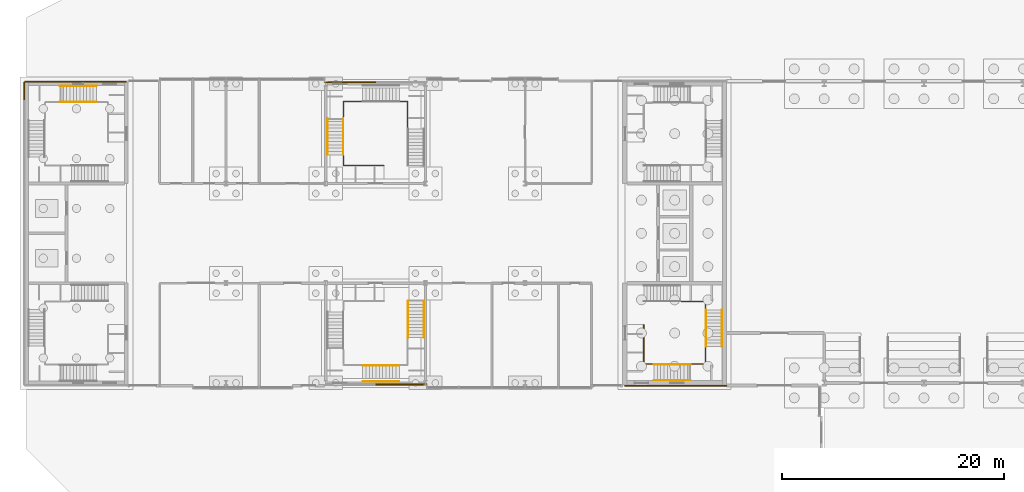
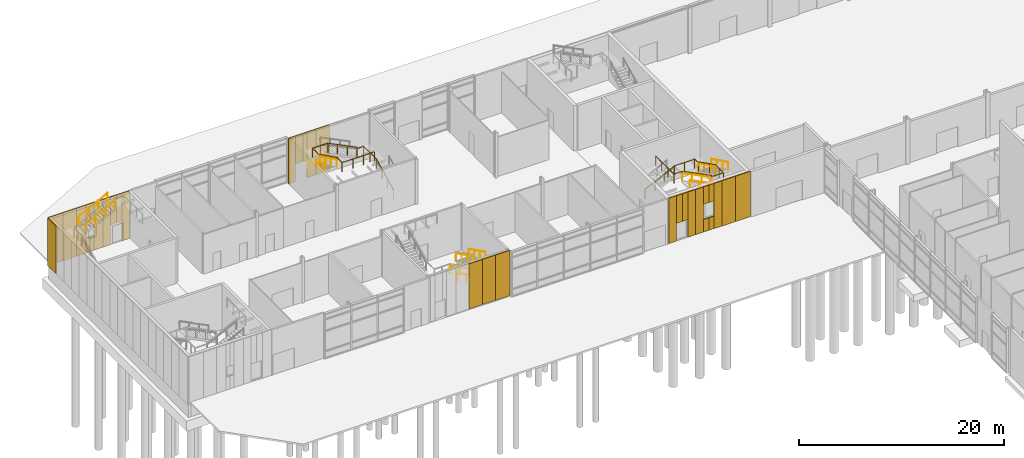
# One storey, part 40 of 45: 33 coverings, 14 railings.
"""IFC4 building model written with IfcOpenShell, lengths in metres."""

from ifc_helpers import new_model, si_unit, direction, frame, origin, origin_2d, place, context, subcontext, project, spatial, rectangle, circle, extrude, material, layer, layer_set, type_object, element, save


model = new_model("IFC4")

# Units and contexts
model_context = context("Model", 3, precision=1e-05, world=origin(), true_north=direction((0.0, 1.0)))
body_context = subcontext(model_context, "Body", "Model", "MODEL_VIEW")
ifc_project = project(units=[si_unit("LENGTHUNIT", "METRE"), si_unit("AREAUNIT", "SQUARE_METRE"), si_unit("VOLUMEUNIT", "CUBIC_METRE"), si_unit("PLANEANGLEUNIT", "RADIAN"), si_unit("MASSUNIT", "GRAM", prefix="KILO")], contexts=[model_context])

# Site, building, storey
site_placement = place(None, origin())
site = spatial("IfcSite", under=ifc_project, at=site_placement, CompositionType="ELEMENT")
building_placement = place(site_placement, origin())
building = spatial("IfcBuilding", under=site, at=building_placement, Name="Azimuth Sports and Learning Centre", CompositionType="ELEMENT")
storey_placement = place(building_placement, origin())
storey = spatial("IfcBuildingStorey", under=building, at=storey_placement, Name="L00", CompositionType="ELEMENT", Elevation=0.0)

# Coverings
ifc_material_1 = material(Name="Cladding panel")
ifc_layer = layer(ifc_material_1, 0.10009765625)
ifc_layer_set = layer_set([ifc_layer], Name="Cladding panel")
covering_type = type_object("IfcCoveringType", Name="Cladding panel 100", PredefinedType="CLADDING", material=ifc_layer_set)
for number, where, z_axis, x_axis, name in (
    (1, (32.25, 89.85009765625, 0.0), (0.0, 0.0, 1.0), (1.0, 0.0, 0.0), "Cladding panel S-WM1 L00 6"),
    (2, (33.75, 89.85009765625, 0.0), (0.0, 0.0, 1.0), (1.0, 0.0, 0.0), "Cladding panel S-WM1 L00 7"),
):
    element("IfcCovering", number, at=place(storey_placement, frame(where, z_axis=z_axis, x_axis=x_axis)), inside=storey, type_object=covering_type, Name=name, PredefinedType="CLADDING", context=body_context, shape_type="SweptSolid", body=[
        extrude(rectangle(XDim=1.5, YDim=0.10009765625, at=origin_2d()), origin(), (0.0, 0.0, 1.0), 5.39990234375),
    ])
covering_1_placement = place(storey_placement, frame((35.300048828125, 89.85009765625, 0.0), z_axis=(0.0, 0.0, 1.0), x_axis=(1.0, 0.0, 0.0)))
element("IfcCovering", 3, at=covering_1_placement, inside=storey, type_object=covering_type, Name="Cladding panel S-WM1 L00 8", PredefinedType="CLADDING", context=body_context, shape_type="SweptSolid", body=[
    extrude(rectangle(XDim=1.60009765625, YDim=0.10009765625, at=origin_2d()), origin(), (0.0, 0.0, 1.0), 5.39990234375),
])
covering_2_placement = place(storey_placement, frame((55.175048828125, 89.75, 2.10009765625), z_axis=(0.0, 0.0, 1.0), x_axis=(1.0, 0.0, 0.0)))
element("IfcCovering", 4, at=covering_2_placement, inside=storey, type_object=covering_type, Name="Cladding panel S-CORE W L00 1", PredefinedType="CLADDING", context=body_context, shape_type="SweptSolid", body=[
    extrude(rectangle(XDim=0.64990234375, YDim=0.10009765625, at=origin_2d()), origin(), (0.0, 0.0, 1.0), 3.300048828125),
])
covering_3_placement = place(storey_placement, frame((54.425048828125, 89.75, 0.0), z_axis=(0.0, 0.0, 1.0), x_axis=(1.0, 0.0, 0.0)))
element("IfcCovering", 5, at=covering_3_placement, inside=storey, type_object=covering_type, Name="Cladding panel S-CORE W L00 2", PredefinedType="CLADDING", context=body_context, shape_type="SweptSolid", body=[
    extrude(rectangle(XDim=0.85009765625, YDim=0.10009765625, at=origin_2d()), origin(), (0.0, 0.0, 1.0), 5.39990234375),
])
covering_4_placement = place(storey_placement, frame((55.824951171875, 89.75, 2.10009765625), z_axis=(0.0, 0.0, 1.0), x_axis=(1.0, 0.0, 0.0)))
element("IfcCovering", 6, at=covering_4_placement, inside=storey, type_object=covering_type, Name="Cladding panel S-CORE W L00 3", PredefinedType="CLADDING", context=body_context, shape_type="SweptSolid", body=[
    extrude(rectangle(XDim=0.64990234375, YDim=0.10009765625, at=origin_2d()), origin(), (0.0, 0.0, 1.0), 3.300048828125),
])
covering_5_placement = place(storey_placement, frame((56.574951171875, 89.75, 0.0), z_axis=(0.0, 0.0, 1.0), x_axis=(1.0, 0.0, 0.0)))
element("IfcCovering", 7, at=covering_5_placement, inside=storey, type_object=covering_type, Name="Cladding panel S-CORE W L00 4", PredefinedType="CLADDING", context=body_context, shape_type="SweptSolid", body=[
    extrude(rectangle(XDim=0.85009765625, YDim=0.10009765625, at=origin_2d()), origin(), (0.0, 0.0, 1.0), 5.39990234375),
])
covering_6_placement = place(storey_placement, frame((57.449951171875, 89.75, 0.0), z_axis=(0.0, 0.0, 1.0), x_axis=(1.0, 0.0, 0.0)))
element("IfcCovering", 8, at=covering_6_placement, inside=storey, type_object=covering_type, Name="Cladding panel S-CORE W L00 5", PredefinedType="CLADDING", context=body_context, shape_type="SweptSolid", body=[
    extrude(rectangle(XDim=0.89990234375, YDim=0.10009765625, at=origin_2d()), origin(), (0.0, 0.0, 1.0), 5.39990234375),
])
covering_7_placement = place(storey_placement, frame((58.199951171875, 89.75, 0.0), z_axis=(0.0, 0.0, 1.0), x_axis=(1.0, 0.0, 0.0)))
element("IfcCovering", 9, at=covering_7_placement, inside=storey, type_object=covering_type, Name="Cladding panel S-CORE W L00 6", PredefinedType="CLADDING", context=body_context, shape_type="SweptSolid", body=[
    extrude(rectangle(XDim=0.60009765625, YDim=0.10009765625, at=origin_2d()), origin(), (0.0, 0.0, 1.0), 1.5),
])
covering_8_placement = place(storey_placement, frame((58.199951171875, 89.75, 3.300048828125), z_axis=(0.0, 0.0, 1.0), x_axis=(1.0, 0.0, 0.0)))
element("IfcCovering", 10, at=covering_8_placement, inside=storey, type_object=covering_type, Name="Cladding panel S-CORE W L00 7", PredefinedType="CLADDING", context=body_context, shape_type="SweptSolid", body=[
    extrude(rectangle(XDim=0.60009765625, YDim=0.10009765625, at=origin_2d()), origin(), (0.0, 0.0, 1.0), 2.10009765625),
])
covering_9_placement = place(storey_placement, frame((59.550048828125, 89.75, 0.0), z_axis=(0.0, 0.0, 1.0), x_axis=(1.0, 0.0, 0.0)))
element("IfcCovering", 11, at=covering_9_placement, inside=storey, type_object=covering_type, Name="Cladding panel S-CORE W L00 8", PredefinedType="CLADDING", context=body_context, shape_type="SweptSolid", body=[
    extrude(rectangle(XDim=0.89990234375, YDim=0.10009765625, at=origin_2d()), origin(), (0.0, 0.0, 1.0), 5.39990234375),
])
covering_10_placement = place(storey_placement, frame((58.800048828125, 89.75, 0.0), z_axis=(0.0, 0.0, 1.0), x_axis=(1.0, 0.0, 0.0)))
element("IfcCovering", 12, at=covering_10_placement, inside=storey, type_object=covering_type, Name="Cladding panel S-CORE W L00 9", PredefinedType="CLADDING", context=body_context, shape_type="SweptSolid", body=[
    extrude(rectangle(XDim=0.60009765625, YDim=0.10009765625, at=origin_2d()), origin(), (0.0, 0.0, 1.0), 1.5),
])
covering_11_placement = place(storey_placement, frame((58.800048828125, 89.75, 3.300048828125), z_axis=(0.0, 0.0, 1.0), x_axis=(1.0, 0.0, 0.0)))
element("IfcCovering", 13, at=covering_11_placement, inside=storey, type_object=covering_type, Name="Cladding panel S-CORE W L00 10", PredefinedType="CLADDING", context=body_context, shape_type="SweptSolid", body=[
    extrude(rectangle(XDim=0.60009765625, YDim=0.10009765625, at=origin_2d()), origin(), (0.0, 0.0, 1.0), 2.10009765625),
])
covering_12_placement = place(storey_placement, frame((60.75, 89.75, 0.0), z_axis=(0.0, 0.0, 1.0), x_axis=(1.0, 0.0, 0.0)))
element("IfcCovering", 14, at=covering_12_placement, inside=storey, type_object=covering_type, Name="Cladding panel S-CORE W L00 11", PredefinedType="CLADDING", context=body_context, shape_type="SweptSolid", body=[
    extrude(rectangle(XDim=1.5, YDim=0.10009765625, at=origin_2d()), origin(), (0.0, 0.0, 1.0), 5.39990234375),
])
covering_13_placement = place(storey_placement, frame((62.35009765625, 89.75, 0.0), z_axis=(0.0, 0.0, 1.0), x_axis=(1.0, 0.0, 0.0)))
element("IfcCovering", 15, at=covering_13_placement, inside=storey, type_object=covering_type, Name="Cladding panel S-CORE W L00 12", PredefinedType="CLADDING", context=body_context, shape_type="SweptSolid", body=[
    extrude(rectangle(XDim=1.699951171875, YDim=0.10009765625, at=origin_2d()), origin(), (0.0, 0.0, 1.0), 5.39990234375),
])
covering_14_placement = place(storey_placement, frame((30.75, 117.14990234375, 0.0), z_axis=(0.0, 0.0, 1.0), x_axis=(-1.0, 0.0, 0.0)))
element("IfcCovering", 16, at=covering_14_placement, inside=storey, type_object=covering_type, Name="Cladding panel N-WM2 L00 4", PredefinedType="CLADDING", context=body_context, shape_type="SweptSolid", body=[
    extrude(rectangle(XDim=1.5, YDim=0.10009765625, at=origin_2d()), origin(), (0.0, 0.0, 1.0), 5.39990234375),
])
covering_15_placement = place(storey_placement, frame((28.72509765625, 117.14990234375, 2.10009765625), z_axis=(0.0, 0.0, 1.0), x_axis=(-1.0, 0.0, 0.0)))
element("IfcCovering", 17, at=covering_15_placement, inside=storey, type_object=covering_type, Name="Cladding panel N-WM2 L00 5", PredefinedType="CLADDING", context=body_context, shape_type="SweptSolid", body=[
    extrude(rectangle(XDim=0.449951171875, YDim=0.10009765625, at=origin_2d()), origin(), (0.0, 0.0, 1.0), 3.300048828125),
])
covering_16_placement = place(storey_placement, frame((29.47509765625, 117.14990234375, 0.0), z_axis=(0.0, 0.0, 1.0), x_axis=(-1.0, 0.0, 0.0)))
element("IfcCovering", 18, at=covering_16_placement, inside=storey, type_object=covering_type, Name="Cladding panel N-WM2 L00 6", PredefinedType="CLADDING", context=body_context, shape_type="SweptSolid", body=[
    extrude(rectangle(XDim=1.050048828125, YDim=0.10009765625, at=origin_2d()), origin(), (0.0, 0.0, 1.0), 5.39990234375),
])
covering_17_placement = place(storey_placement, frame((28.074951171875, 117.14990234375, 2.10009765625), z_axis=(0.0, 0.0, 1.0), x_axis=(-1.0, 0.0, 0.0)))
element("IfcCovering", 19, at=covering_17_placement, inside=storey, type_object=covering_type, Name="Cladding panel N-WM2 L00 7", PredefinedType="CLADDING", context=body_context, shape_type="SweptSolid", body=[
    extrude(rectangle(XDim=0.85009765625, YDim=0.10009765625, at=origin_2d()), origin(), (0.0, 0.0, 1.0), 3.300048828125),
])
covering_18_placement = place(storey_placement, frame((27.27490234375, 117.14990234375, 0.0), z_axis=(0.0, 0.0, 1.0), x_axis=(-1.0, 0.0, 0.0)))
element("IfcCovering", 20, at=covering_18_placement, inside=storey, type_object=covering_type, Name="Cladding panel N-WM2 L00 8", PredefinedType="CLADDING", context=body_context, shape_type="SweptSolid", body=[
    extrude(rectangle(XDim=0.75, YDim=0.10009765625, at=origin_2d()), origin(), (0.0, 0.0, 1.0), 5.39990234375),
])
covering_19_placement = place(storey_placement, frame((7.824951171875, 117.199951171875, 2.10009765625), z_axis=(0.0, 0.0, 1.0), x_axis=(-1.0, 0.0, 0.0)))
element("IfcCovering", 21, at=covering_19_placement, inside=storey, type_object=covering_type, Name="Cladding panel N-END W L00 1", PredefinedType="CLADDING", context=body_context, shape_type="SweptSolid", body=[
    extrude(rectangle(XDim=0.64990234375, YDim=0.10009765625, at=origin_2d()), origin(), (0.0, 0.0, 1.0), 3.300048828125),
])
covering_20_placement = place(storey_placement, frame((8.574951171875, 117.199951171875, -0.2998046875), z_axis=(0.0, 0.0, 1.0), x_axis=(-1.0, 0.0, 0.0)))
element("IfcCovering", 22, at=covering_20_placement, inside=storey, type_object=covering_type, Name="Cladding panel N-END W L00 2", PredefinedType="CLADDING", context=body_context, shape_type="SweptSolid", body=[
    extrude(rectangle(XDim=0.85009765625, YDim=0.10009765625, at=origin_2d()), origin(), (0.0, 0.0, 1.0), 5.699951171875),
])
covering_21_placement = place(storey_placement, frame((7.175048828125, 117.199951171875, 2.10009765625), z_axis=(0.0, 0.0, 1.0), x_axis=(-1.0, 0.0, 0.0)))
element("IfcCovering", 23, at=covering_21_placement, inside=storey, type_object=covering_type, Name="Cladding panel N-END W L00 3", PredefinedType="CLADDING", context=body_context, shape_type="SweptSolid", body=[
    extrude(rectangle(XDim=0.64990234375, YDim=0.10009765625, at=origin_2d()), origin(), (0.0, 0.0, 1.0), 3.300048828125),
])
covering_22_placement = place(storey_placement, frame((6.425048828125, 117.199951171875, -0.2998046875), z_axis=(0.0, 0.0, 1.0), x_axis=(-1.0, 0.0, 0.0)))
element("IfcCovering", 24, at=covering_22_placement, inside=storey, type_object=covering_type, Name="Cladding panel N-END W L00 4", PredefinedType="CLADDING", context=body_context, shape_type="SweptSolid", body=[
    extrude(rectangle(XDim=0.85009765625, YDim=0.10009765625, at=origin_2d()), origin(), (0.0, 0.0, 1.0), 5.699951171875),
])
covering_23_placement = place(storey_placement, frame((5.47509765625, 117.199951171875, -0.2998046875), z_axis=(0.0, 0.0, 1.0), x_axis=(-1.0, 0.0, 0.0)))
element("IfcCovering", 25, at=covering_23_placement, inside=storey, type_object=covering_type, Name="Cladding panel N-END W L00 5", PredefinedType="CLADDING", context=body_context, shape_type="SweptSolid", body=[
    extrude(rectangle(XDim=1.050048828125, YDim=0.10009765625, at=origin_2d()), origin(), (0.0, 0.0, 1.0), 5.699951171875),
])
covering_24_placement = place(storey_placement, frame((4.72509765625, 117.199951171875, -0.2998046875), z_axis=(0.0, 0.0, 1.0), x_axis=(-1.0, 0.0, 0.0)))
element("IfcCovering", 26, at=covering_24_placement, inside=storey, type_object=covering_type, Name="Cladding panel N-END W L00 6", PredefinedType="CLADDING", context=body_context, shape_type="SweptSolid", body=[
    extrude(rectangle(XDim=0.449951171875, YDim=0.10009765625, at=origin_2d()), origin(), (0.0, 0.0, 1.0), 1.800048828125),
])
covering_25_placement = place(storey_placement, frame((4.72509765625, 117.199951171875, 2.7001953125), z_axis=(0.0, 0.0, 1.0), x_axis=(-1.0, 0.0, 0.0)))
element("IfcCovering", 27, at=covering_25_placement, inside=storey, type_object=covering_type, Name="Cladding panel N-END W L00 7", PredefinedType="CLADDING", context=body_context, shape_type="SweptSolid", body=[
    extrude(rectangle(XDim=0.449951171875, YDim=0.10009765625, at=origin_2d()), origin(), (0.0, 0.0, 1.0), 2.699951171875),
])
covering_26_placement = place(storey_placement, frame((3.52490234375, 117.199951171875, -0.2998046875), z_axis=(0.0, 0.0, 1.0), x_axis=(-1.0, 0.0, 0.0)))
element("IfcCovering", 28, at=covering_26_placement, inside=storey, type_object=covering_type, Name="Cladding panel N-END W L00 8", PredefinedType="CLADDING", context=body_context, shape_type="SweptSolid", body=[
    extrude(rectangle(XDim=1.050048828125, YDim=0.10009765625, at=origin_2d()), origin(), (0.0, 0.0, 1.0), 5.699951171875),
])
covering_27_placement = place(storey_placement, frame((4.27490234375, 117.199951171875, -0.2998046875), z_axis=(0.0, 0.0, 1.0), x_axis=(-1.0, 0.0, 0.0)))
element("IfcCovering", 29, at=covering_27_placement, inside=storey, type_object=covering_type, Name="Cladding panel N-END W L00 9", PredefinedType="CLADDING", context=body_context, shape_type="SweptSolid", body=[
    extrude(rectangle(XDim=0.449951171875, YDim=0.10009765625, at=origin_2d()), origin(), (0.0, 0.0, 1.0), 1.800048828125),
])
covering_28_placement = place(storey_placement, frame((4.27490234375, 117.199951171875, 2.7001953125), z_axis=(0.0, 0.0, 1.0), x_axis=(-1.0, 0.0, 0.0)))
element("IfcCovering", 30, at=covering_28_placement, inside=storey, type_object=covering_type, Name="Cladding panel N-END W L00 10", PredefinedType="CLADDING", context=body_context, shape_type="SweptSolid", body=[
    extrude(rectangle(XDim=0.449951171875, YDim=0.10009765625, at=origin_2d()), origin(), (0.0, 0.0, 1.0), 2.699951171875),
])
covering_29_placement = place(storey_placement, frame((2.25, 117.199951171875, -0.2998046875), z_axis=(0.0, 0.0, 1.0), x_axis=(-1.0, 0.0, 0.0)))
element("IfcCovering", 31, at=covering_29_placement, inside=storey, type_object=covering_type, Name="Cladding panel N-END W L00 11", PredefinedType="CLADDING", context=body_context, shape_type="SweptSolid", body=[
    extrude(rectangle(XDim=1.5, YDim=0.10009765625, at=origin_2d()), origin(), (0.0, 0.0, 1.0), 5.699951171875),
])
for number, where, z_axis, x_axis, name in (
    (32, (0.675048828125, 117.199951171875, -0.2998046875), (0.0, 0.0, 1.0), (-1.0, 0.0, 0.0), "Cladding panel N-END W L00 12"),
    (33, (-0.199951171875, 116.324951171875, -0.2998046875), (0.0, 0.0, 1.0), (0.0, -1.0, 0.0), "Cladding panel W-END W L00 1"),
):
    element("IfcCovering", number, at=place(storey_placement, frame(where, z_axis=z_axis, x_axis=x_axis)), inside=storey, type_object=covering_type, Name=name, PredefinedType="CLADDING", context=body_context, shape_type="SweptSolid", body=[
        extrude(rectangle(XDim=1.64990234375, YDim=0.10009765625, at=origin_2d()), origin(), (0.0, 0.0, 1.0), 5.699951171875),
    ])

# Railings
ifc_material_2 = material(Name="Stainless steel", Category="steel")
railing_type_1 = type_object("IfcRailingType", Name="Stair guard 1100", PredefinedType="GUARDRAIL", material=ifc_material_2)
railing_1_placement = place(storey_placement, frame((55.7099609375, 97.340087890625, 0.14990234375)))
element("IfcRailing", 34, at=railing_1_placement, inside=storey, type_object=railing_type_1, Name="Guard W1 L00 well", PredefinedType="GUARDRAIL", context=body_context, shape_type="SweptSolid", body=[
    extrude(circle(Radius=0.02392578125, at=origin_2d()), frame((0.0, 0.0, 1.076171875), z_axis=(0.894413956696, 0.0, 0.447240063129), x_axis=(0.0, 1.0, 0.0)), (0.0, 0.0, 1.0), 3.689697265625),
    extrude(circle(Radius=0.02392578125, at=origin_2d()), frame((3.300048828125, 0.0, 2.72607421875), z_axis=(1.0, 0.0, 0.0), x_axis=(0.0, 1.0, 0.0)), (0.0, 0.0, 1.0), 2.280029296875),
    extrude(circle(Radius=0.02392578125, at=origin_2d()), frame((5.580078125, 0.0, 2.72607421875), z_axis=(0.0, -1.0, 0.0), x_axis=(1.0, 0.0, 0.0)), (0.0, 0.0, 1.0), 0.75),
    extrude(circle(Radius=0.02392578125, at=origin_2d()), frame((5.580078125, -0.75, 2.72607421875), z_axis=(0.0, 0.0, 1.0), x_axis=(1.0, 0.0, 0.0)), (0.0, 0.0, 1.0), 0.14990234375),
    extrude(circle(Radius=0.02392578125, at=origin_2d()), frame((5.580078125, -0.75, 2.8759765625), z_axis=(0.0, -0.894413956696, 0.447240063129), x_axis=(1.0, 0.0, 0.0)), (0.0, 0.0, 1.0), 3.689697265625),
    extrude(circle(Radius=0.02392578125, at=origin_2d()), frame((5.580078125, -4.050048828125, 4.5263671875), z_axis=(0.0, -1.0, 0.0), x_axis=(1.0, 0.0, 0.0)), (0.0, 0.0, 1.0), 1.580078125),
    extrude(circle(Radius=0.02392578125, at=origin_2d()), frame((5.580078125, -5.630126953125, 4.5263671875), z_axis=(-1.0, 0.0, 0.0), x_axis=(0.0, -1.0, 0.0)), (0.0, 0.0, 1.0), 1.35009765625),
    extrude(circle(Radius=0.02392578125, at=origin_2d()), frame((4.22998046875, -5.630126953125, 4.5263671875), z_axis=(0.0, 0.0, 1.0), x_axis=(1.0, 0.0, 0.0)), (0.0, 0.0, 1.0), 0.14990234375),
    extrude(circle(Radius=0.02392578125, at=origin_2d()), frame((4.22998046875, -5.630126953125, 4.67626953125), z_axis=(-0.894440424912, 0.0, 0.447187126696), x_axis=(0.0, -1.0, 0.0)), (0.0, 0.0, 1.0), 3.689453125),
    extrude(circle(Radius=0.02392578125, at=origin_2d()), frame((0.929931640625, -5.630126953125, 6.326171875), z_axis=(-1.0, 0.0, 0.0), x_axis=(0.0, -1.0, 0.0)), (0.0, 0.0, 1.0), 0.929931640625),
    extrude(circle(Radius=0.02392578125, at=origin_2d()), frame((0.0, -5.630126953125, 6.326171875), z_axis=(0.0, 1.0, 0.0), x_axis=(-1.0, 0.0, 0.0)), (0.0, 0.0, 1.0), 3.5400390625),
    extrude(circle(Radius=0.01611328125, at=origin_2d()), origin(), (0.0, 0.0, 1.0), 1.052001953125),
    extrude(circle(Radius=0.01611328125, at=origin_2d()), frame((1.10009765625, 0.0, 0.550048828125)), (0.0, 0.0, 1.0), 1.052001953125),
    extrude(circle(Radius=0.01611328125, at=origin_2d()), frame((2.199951171875, 0.0, 1.10009765625)), (0.0, 0.0, 1.0), 1.052001953125),
    extrude(circle(Radius=0.01611328125, at=origin_2d()), frame((3.300048828125, 0.0, 1.650146484375)), (0.0, 0.0, 1.0), 1.052001953125),
    extrude(circle(Radius=0.01611328125, at=origin_2d()), frame((4.43994140625, 0.0, 1.650146484375)), (0.0, 0.0, 1.0), 1.052001953125),
    extrude(circle(Radius=0.01611328125, at=origin_2d()), frame((5.580078125, 0.0, 1.650146484375)), (0.0, 0.0, 1.0), 1.052001953125),
    extrude(circle(Radius=0.01611328125, at=origin_2d()), frame((5.580078125, -0.75, 1.650146484375)), (0.0, 0.0, 1.0), 1.052001953125),
    extrude(circle(Radius=0.01611328125, at=origin_2d()), frame((5.580078125, -0.75, 1.800048828125)), (0.0, 0.0, 1.0), 1.052001953125),
    extrude(circle(Radius=0.01611328125, at=origin_2d()), frame((5.580078125, -1.85009765625, 2.35009765625)), (0.0, 0.0, 1.0), 1.052001953125),
    extrude(circle(Radius=0.01611328125, at=origin_2d()), frame((5.580078125, -2.949951171875, 2.900146484375)), (0.0, 0.0, 1.0), 1.052001953125),
    extrude(circle(Radius=0.01611328125, at=origin_2d()), frame((5.580078125, -4.050048828125, 3.4501953125)), (0.0, 0.0, 1.0), 1.052001953125),
    extrude(circle(Radius=0.01611328125, at=origin_2d()), frame((5.580078125, -4.840087890625, 3.4501953125)), (0.0, 0.0, 1.0), 1.052001953125),
    extrude(circle(Radius=0.01611328125, at=origin_2d()), frame((5.580078125, -5.630126953125, 3.4501953125)), (0.0, 0.0, 1.0), 1.052001953125),
    extrude(circle(Radius=0.01611328125, at=origin_2d()), frame((4.22998046875, -5.630126953125, 3.4501953125)), (0.0, 0.0, 1.0), 1.052001953125),
    extrude(circle(Radius=0.01611328125, at=origin_2d()), frame((4.22998046875, -5.630126953125, 3.60009765625)), (0.0, 0.0, 1.0), 1.052001953125),
    extrude(circle(Radius=0.01611328125, at=origin_2d()), frame((3.1298828125, -5.630126953125, 4.150146484375)), (0.0, 0.0, 1.0), 1.052001953125),
    extrude(circle(Radius=0.01611328125, at=origin_2d()), frame((2.030029296875, -5.630126953125, 4.699951171875)), (0.0, 0.0, 1.0), 1.052001953125),
    extrude(circle(Radius=0.01611328125, at=origin_2d()), frame((0.929931640625, -5.630126953125, 5.25)), (0.0, 0.0, 1.0), 1.052001953125),
    extrude(circle(Radius=0.01611328125, at=origin_2d()), frame((0.0, -5.630126953125, 5.25)), (0.0, 0.0, 1.0), 1.052001953125),
    extrude(circle(Radius=0.01611328125, at=origin_2d()), frame((0.0, -4.4501953125, 5.25)), (0.0, 0.0, 1.0), 1.052001953125),
    extrude(circle(Radius=0.01611328125, at=origin_2d()), frame((0.0, -3.27001953125, 5.25)), (0.0, 0.0, 1.0), 1.052001953125),
    extrude(circle(Radius=0.01611328125, at=origin_2d()), frame((0.0, -2.090087890625, 5.25)), (0.0, 0.0, 1.0), 1.052001953125),
])
railing_2_placement = place(storey_placement, frame((34.389892578125, 109.610107421875, 0.14990234375)))
element("IfcRailing", 35, at=railing_2_placement, inside=storey, type_object=railing_type_1, Name="Guard WM2 L00 well", PredefinedType="GUARDRAIL", context=body_context, shape_type="SweptSolid", body=[
    extrude(circle(Radius=0.02392578125, at=origin_2d()), frame((0.0, 0.0, 1.076171875), z_axis=(0.0, 0.894400720042, 0.447266533499), x_axis=(-1.0, 0.0, 0.0)), (0.0, 0.0, 1.0), 3.689453125),
    extrude(circle(Radius=0.02392578125, at=origin_2d()), frame((0.0, 3.2998046875, 2.72607421875), z_axis=(0.0, 1.0, 0.0), x_axis=(-1.0, 0.0, 0.0)), (0.0, 0.0, 1.0), 2.47998046875),
    extrude(circle(Radius=0.02392578125, at=origin_2d()), frame((0.0, 5.77978515625, 2.72607421875), z_axis=(-1.0, 0.0, 0.0), x_axis=(0.0, -1.0, 0.0)), (0.0, 0.0, 1.0), 0.75),
    extrude(circle(Radius=0.02392578125, at=origin_2d()), frame((-0.75, 5.77978515625, 2.72607421875), z_axis=(0.0, 0.0, 1.0), x_axis=(1.0, 0.0, 0.0)), (0.0, 0.0, 1.0), 0.14990234375),
    extrude(circle(Radius=0.02392578125, at=origin_2d()), frame((-0.75, 5.77978515625, 2.8759765625), z_axis=(-0.894400720042, 0.0, 0.447266533499), x_axis=(0.0, -1.0, 0.0)), (0.0, 0.0, 1.0), 3.689453125),
    extrude(circle(Radius=0.02392578125, at=origin_2d()), frame((-4.0498046875, 5.77978515625, 4.5263671875), z_axis=(-1.0, 0.0, 0.0), x_axis=(0.0, -1.0, 0.0)), (0.0, 0.0, 1.0), 1.72998046875),
    extrude(circle(Radius=0.02392578125, at=origin_2d()), frame((-5.77978515625, 5.77978515625, 4.5263671875), z_axis=(0.0, -1.0, 0.0), x_axis=(1.0, 0.0, 0.0)), (0.0, 0.0, 1.0), 1.5),
    extrude(circle(Radius=0.02392578125, at=origin_2d()), frame((-5.77978515625, 4.27978515625, 4.5263671875), z_axis=(0.0, 0.0, 1.0), x_axis=(1.0, 0.0, 0.0)), (0.0, 0.0, 1.0), 0.14990234375),
    extrude(circle(Radius=0.02392578125, at=origin_2d()), frame((-5.77978515625, 4.27978515625, 4.67626953125), z_axis=(0.0, -0.894427191, 0.4472135955), x_axis=(1.0, 0.0, 0.0)), (0.0, 0.0, 1.0), 3.689208984375),
    extrude(circle(Radius=0.02392578125, at=origin_2d()), frame((-5.77978515625, 0.97998046875, 6.326171875), z_axis=(0.0, -1.0, 0.0), x_axis=(1.0, 0.0, 0.0)), (0.0, 0.0, 1.0), 0.97998046875),
    extrude(circle(Radius=0.02392578125, at=origin_2d()), frame((-5.77978515625, 0.0, 6.326171875), z_axis=(1.0, 0.0, 0.0), x_axis=(0.0, 1.0, 0.0)), (0.0, 0.0, 1.0), 3.639892578125),
    extrude(circle(Radius=0.01611328125, at=origin_2d()), origin(), (0.0, 0.0, 1.0), 1.052001953125),
    extrude(circle(Radius=0.01611328125, at=origin_2d()), frame((0.0, 1.099853515625, 0.550048828125)), (0.0, 0.0, 1.0), 1.052001953125),
    extrude(circle(Radius=0.01611328125, at=origin_2d()), frame((0.0, 2.199951171875, 1.10009765625)), (0.0, 0.0, 1.0), 1.052001953125),
    extrude(circle(Radius=0.01611328125, at=origin_2d()), frame((0.0, 3.2998046875, 1.650146484375)), (0.0, 0.0, 1.0), 1.052001953125),
    extrude(circle(Radius=0.01611328125, at=origin_2d()), frame((0.0, 4.539794921875, 1.650146484375)), (0.0, 0.0, 1.0), 1.052001953125),
    extrude(circle(Radius=0.01611328125, at=origin_2d()), frame((0.0, 5.77978515625, 1.650146484375)), (0.0, 0.0, 1.0), 1.052001953125),
    extrude(circle(Radius=0.01611328125, at=origin_2d()), frame((-0.75, 5.77978515625, 1.650146484375)), (0.0, 0.0, 1.0), 1.052001953125),
    extrude(circle(Radius=0.01611328125, at=origin_2d()), frame((-0.75, 5.77978515625, 1.800048828125)), (0.0, 0.0, 1.0), 1.052001953125),
    extrude(circle(Radius=0.01611328125, at=origin_2d()), frame((-1.849853515625, 5.77978515625, 2.35009765625)), (0.0, 0.0, 1.0), 1.052001953125),
    extrude(circle(Radius=0.01611328125, at=origin_2d()), frame((-2.949951171875, 5.77978515625, 2.900146484375)), (0.0, 0.0, 1.0), 1.052001953125),
    extrude(circle(Radius=0.01611328125, at=origin_2d()), frame((-4.0498046875, 5.77978515625, 3.4501953125)), (0.0, 0.0, 1.0), 1.052001953125),
    extrude(circle(Radius=0.01611328125, at=origin_2d()), frame((-4.914794921875, 5.77978515625, 3.4501953125)), (0.0, 0.0, 1.0), 1.052001953125),
    extrude(circle(Radius=0.01611328125, at=origin_2d()), frame((-5.77978515625, 5.77978515625, 3.4501953125)), (0.0, 0.0, 1.0), 1.052001953125),
    extrude(circle(Radius=0.01611328125, at=origin_2d()), frame((-5.77978515625, 4.27978515625, 3.4501953125)), (0.0, 0.0, 1.0), 1.052001953125),
    extrude(circle(Radius=0.01611328125, at=origin_2d()), frame((-5.77978515625, 4.27978515625, 3.60009765625)), (0.0, 0.0, 1.0), 1.052001953125),
    extrude(circle(Radius=0.01611328125, at=origin_2d()), frame((-5.77978515625, 3.179931640625, 4.150146484375)), (0.0, 0.0, 1.0), 1.052001953125),
    extrude(circle(Radius=0.01611328125, at=origin_2d()), frame((-5.77978515625, 2.079833984375, 4.699951171875)), (0.0, 0.0, 1.0), 1.052001953125),
    extrude(circle(Radius=0.01611328125, at=origin_2d()), frame((-5.77978515625, 0.97998046875, 5.25)), (0.0, 0.0, 1.0), 1.052001953125),
    extrude(circle(Radius=0.01611328125, at=origin_2d()), frame((-5.77978515625, 0.0, 5.25)), (0.0, 0.0, 1.0), 1.052001953125),
    extrude(circle(Radius=0.01611328125, at=origin_2d()), frame((-4.56640625, 0.0, 5.25)), (0.0, 0.0, 1.0), 1.052001953125),
    extrude(circle(Radius=0.01611328125, at=origin_2d()), frame((-3.353271484375, 0.0, 5.25)), (0.0, 0.0, 1.0), 1.052001953125),
    extrude(circle(Radius=0.01611328125, at=origin_2d()), frame((-2.139892578125, 0.0, 5.25)), (0.0, 0.0, 1.0), 1.052001953125),
])
ifc_material_3 = material(Name="Stainless steel", Category="steel")
railing_type_2 = type_object("IfcRailingType", Name="Stair handrail 42", PredefinedType="HANDRAIL", material=ifc_material_3)
for number, where, name in (
    (36, (61.320068359375, 96.590087890625, 1.949951171875), "Handrail W1 L00 flight 2 inner"),
    (37, (62.760009765625, 96.590087890625, 1.949951171875), "Handrail W1 L00 flight 2 outer"),
):
    element("IfcRailing", number, at=place(storey_placement, frame(where)), inside=storey, type_object=railing_type_2, Name=name, PredefinedType="HANDRAIL", context=body_context, shape_type="SweptSolid", body=[
        extrude(circle(Radius=0.02099609375, at=origin_2d()), frame((0.0, 0.0, 0.87890625), z_axis=(0.0, -0.894413956696, 0.447240063129), x_axis=(1.0, 0.0, 0.0)), (0.0, 0.0, 1.0), 3.689697265625),
        extrude(circle(Radius=0.01611328125, at=origin_2d()), origin(), (0.0, 0.0, 1.0), 0.85791015625),
        extrude(circle(Radius=0.01611328125, at=origin_2d()), frame((0.0, -1.10009765625, 0.550048828125)), (0.0, 0.0, 1.0), 0.85791015625),
        extrude(circle(Radius=0.01611328125, at=origin_2d()), frame((0.0, -2.199951171875, 1.10009765625)), (0.0, 0.0, 1.0), 0.85791015625),
        extrude(circle(Radius=0.01611328125, at=origin_2d()), frame((0.0, -3.300048828125, 1.650146484375)), (0.0, 0.0, 1.0), 0.85791015625),
    ])
for number, where, name in (
    (38, (59.93994140625, 91.679931640625, 3.75), "Handrail W1 L00 flight 3 inner"),
    (39, (59.93994140625, 90.239990234375, 3.75), "Handrail W1 L00 flight 3 outer"),
):
    element("IfcRailing", number, at=place(storey_placement, frame(where)), inside=storey, type_object=railing_type_2, Name=name, PredefinedType="HANDRAIL", context=body_context, shape_type="SweptSolid", body=[
        extrude(circle(Radius=0.02099609375, at=origin_2d()), frame((0.0, 0.0, 0.87890625), z_axis=(-0.894440424912, 0.0, 0.447187126696), x_axis=(0.0, -1.0, 0.0)), (0.0, 0.0, 1.0), 3.689453125),
        extrude(circle(Radius=0.01611328125, at=origin_2d()), origin(), (0.0, 0.0, 1.0), 0.85791015625),
        extrude(circle(Radius=0.01611328125, at=origin_2d()), frame((-1.10009765625, 0.0, 0.550048828125)), (0.0, 0.0, 1.0), 0.85791015625),
        extrude(circle(Radius=0.01611328125, at=origin_2d()), frame((-2.199951171875, 0.0, 1.099853515625)), (0.0, 0.0, 1.0), 0.85791015625),
        extrude(circle(Radius=0.01611328125, at=origin_2d()), frame((-3.300048828125, 0.0, 1.64990234375)), (0.0, 0.0, 1.0), 0.85791015625),
    ])
for number, where, name in (
    (40, (3.010009765625, 115.3701171875, 3.75), "Handrail WW2 L00 flight 3 inner"),
    (41, (3.010009765625, 116.81005859375, 3.75), "Handrail WW2 L00 flight 3 outer"),
):
    element("IfcRailing", number, at=place(storey_placement, frame(where)), inside=storey, type_object=railing_type_2, Name=name, PredefinedType="HANDRAIL", context=body_context, shape_type="SweptSolid", body=[
        extrude(circle(Radius=0.02099609375, at=origin_2d()), frame((0.0, 0.0, 0.87890625), z_axis=(0.894440424912, 0.0, 0.447187126696), x_axis=(0.0, 1.0, 0.0)), (0.0, 0.0, 1.0), 3.689453125),
        extrude(circle(Radius=0.01611328125, at=origin_2d()), origin(), (0.0, 0.0, 1.0), 0.85791015625),
        extrude(circle(Radius=0.01611328125, at=origin_2d()), frame((1.10009765625, 0.0, 0.550048828125)), (0.0, 0.0, 1.0), 0.85791015625),
        extrude(circle(Radius=0.01611328125, at=origin_2d()), frame((2.199951171875, 0.0, 1.099853515625)), (0.0, 0.0, 1.0), 0.85791015625),
        extrude(circle(Radius=0.01611328125, at=origin_2d()), frame((3.300048828125, 0.0, 1.64990234375)), (0.0, 0.0, 1.0), 0.85791015625),
    ])
for number, where, name in (
    (42, (34.419921875, 97.389892578125, 0.14990234375), "Handrail WM1 L00 flight 1 inner"),
    (43, (35.860107421875, 97.389892578125, 0.14990234375), "Handrail WM1 L00 flight 1 outer"),
):
    element("IfcRailing", number, at=place(storey_placement, frame(where)), inside=storey, type_object=railing_type_2, Name=name, PredefinedType="HANDRAIL", context=body_context, shape_type="SweptSolid", body=[
        extrude(circle(Radius=0.02099609375, at=origin_2d()), frame((0.0, 0.0, 0.87890625), z_axis=(0.0, -0.894400720042, 0.447266533499), x_axis=(1.0, 0.0, 0.0)), (0.0, 0.0, 1.0), 3.689453125),
        extrude(circle(Radius=0.01611328125, at=origin_2d()), origin(), (0.0, 0.0, 1.0), 0.85791015625),
        extrude(circle(Radius=0.01611328125, at=origin_2d()), frame((0.0, -1.099853515625, 0.550048828125)), (0.0, 0.0, 1.0), 0.85791015625),
        extrude(circle(Radius=0.01611328125, at=origin_2d()), frame((0.0, -2.199951171875, 1.10009765625)), (0.0, 0.0, 1.0), 0.85791015625),
        extrude(circle(Radius=0.01611328125, at=origin_2d()), frame((0.0, -3.2998046875, 1.650146484375)), (0.0, 0.0, 1.0), 0.85791015625),
    ])
for number, where, name in (
    (44, (33.639892578125, 91.580078125, 1.949951171875), "Handrail WM1 L00 flight 2 inner"),
    (45, (33.639892578125, 90.139892578125, 1.949951171875), "Handrail WM1 L00 flight 2 outer"),
):
    element("IfcRailing", number, at=place(storey_placement, frame(where)), inside=storey, type_object=railing_type_2, Name=name, PredefinedType="HANDRAIL", context=body_context, shape_type="SweptSolid", body=[
        extrude(circle(Radius=0.02099609375, at=origin_2d()), frame((0.0, 0.0, 0.87890625), z_axis=(-0.894400720042, 0.0, 0.447266533499), x_axis=(0.0, -1.0, 0.0)), (0.0, 0.0, 1.0), 3.689453125),
        extrude(circle(Radius=0.01611328125, at=origin_2d()), origin(), (0.0, 0.0, 1.0), 0.85791015625),
        extrude(circle(Radius=0.01611328125, at=origin_2d()), frame((-1.099853515625, 0.0, 0.550048828125)), (0.0, 0.0, 1.0), 0.85791015625),
        extrude(circle(Radius=0.01611328125, at=origin_2d()), frame((-2.199951171875, 0.0, 1.10009765625)), (0.0, 0.0, 1.0), 0.85791015625),
        extrude(circle(Radius=0.01611328125, at=origin_2d()), frame((-3.2998046875, 0.0, 1.650146484375)), (0.0, 0.0, 1.0), 0.85791015625),
    ])
for number, where, name in (
    (46, (28.580078125, 113.889892578125, 3.75), "Handrail WM2 L00 flight 3 inner"),
    (47, (27.139892578125, 113.889892578125, 3.75), "Handrail WM2 L00 flight 3 outer"),
):
    element("IfcRailing", number, at=place(storey_placement, frame(where)), inside=storey, type_object=railing_type_2, Name=name, PredefinedType="HANDRAIL", context=body_context, shape_type="SweptSolid", body=[
        extrude(circle(Radius=0.02099609375, at=origin_2d()), frame((0.0, 0.0, 0.87890625), z_axis=(0.0, -0.894427191, 0.4472135955), x_axis=(1.0, 0.0, 0.0)), (0.0, 0.0, 1.0), 3.689208984375),
        extrude(circle(Radius=0.01611328125, at=origin_2d()), origin(), (0.0, 0.0, 1.0), 0.85791015625),
        extrude(circle(Radius=0.01611328125, at=origin_2d()), frame((0.0, -1.099853515625, 0.550048828125)), (0.0, 0.0, 1.0), 0.85791015625),
        extrude(circle(Radius=0.01611328125, at=origin_2d()), frame((0.0, -2.199951171875, 1.099853515625)), (0.0, 0.0, 1.0), 0.85791015625),
        extrude(circle(Radius=0.01611328125, at=origin_2d()), frame((0.0, -3.2998046875, 1.64990234375)), (0.0, 0.0, 1.0), 0.85791015625),
    ])

save(model, "model.ifc")
